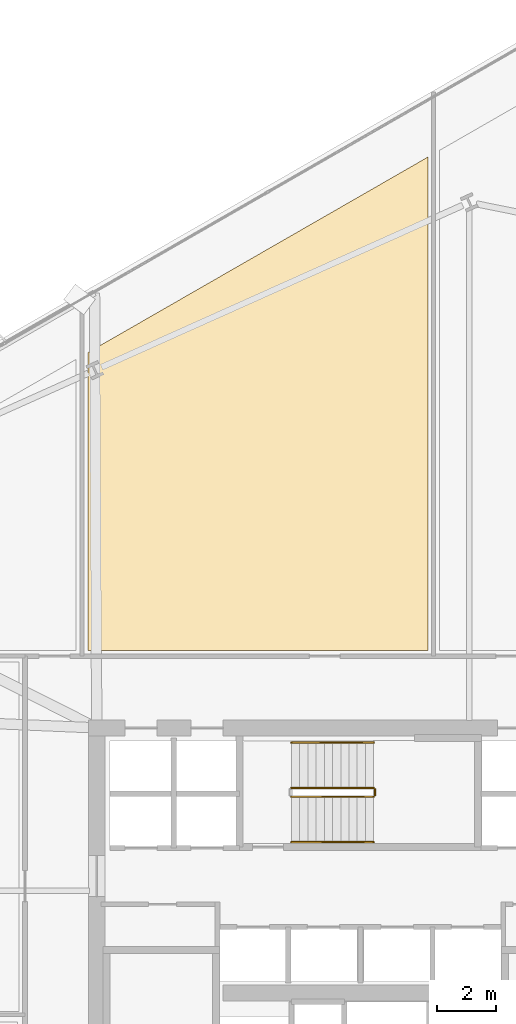
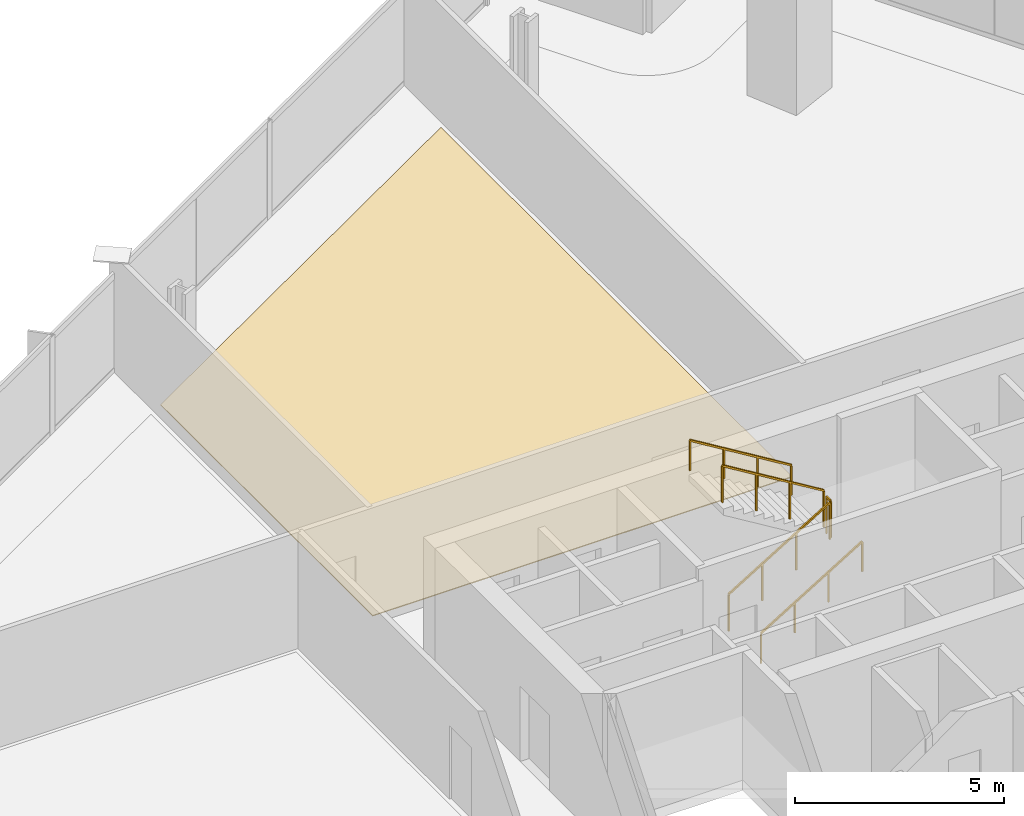
# One storey, part 32 of 33: 5 railings, 1 covering.
"""IFC4 building model written with IfcOpenShell, lengths in metres."""

from ifc_helpers import new_model, si_unit, direction, frame, origin, origin_2d, place, context, subcontext, project, spatial, polyline, rectangle, outline, extrude, material, layer, layer_set, type_object, element, save


model = new_model("IFC4")

# Units and contexts
model_context = context("Model", 3, precision=1e-05, world=origin(), true_north=direction((0.0, 1.0)))
body_context = subcontext(model_context, "Body", "Model", "MODEL_VIEW")
ifc_project = project(units=[si_unit("LENGTHUNIT", "METRE"), si_unit("AREAUNIT", "SQUARE_METRE"), si_unit("VOLUMEUNIT", "CUBIC_METRE"), si_unit("PLANEANGLEUNIT", "RADIAN"), si_unit("MASSUNIT", "GRAM", prefix="KILO")], contexts=[model_context])

# Site, building, storey
site_placement = place(None, origin())
site = spatial("IfcSite", under=ifc_project, at=site_placement, CompositionType="ELEMENT")
building_placement = place(site_placement, origin())
building = spatial("IfcBuilding", under=site, at=building_placement, Name="Haldenkirk Collegiate Tower", CompositionType="ELEMENT")
storey_placement = place(building_placement, frame((0.0, 0.0, 127.949951171875)))
storey = spatial("IfcBuildingStorey", under=building, at=storey_placement, Name="L31", CompositionType="ELEMENT", Elevation=127.949951171875)

# Covering
ifc_material_1 = material(Name="Polished collegiate terrazzo", Category="concrete")
ifc_layer = layer(ifc_material_1, 0.02490234375)
ifc_layer_set = layer_set([ifc_layer], Name="Polished collegiate terrazzo")
covering_type = type_object("IfcCoveringType", Name="COV-FLOOR-TERRAZZO", PredefinedType="FLOORING", material=ifc_layer_set)
covering_placement = place(storey_placement, origin())
element("IfcCovering", 1, at=covering_placement, inside=storey, type_object=covering_type, Name="L31 academic room finish 06", PredefinedType="FLOORING", context=body_context, shape_type="SweptSolid", body=[
    extrude(outline(polyline([(38.300048828125, 53.48486328125), (38.300048828125, 36.64990234375), (26.699951171875, 36.64990234375), (26.699951171875, 46.814697265625), (38.300048828125, 53.48486328125)])), origin(), (0.0, 0.0, 1.0), 0.025146484375),
])

# Railings
ifc_material_2 = material(Name="Painted architectural tubular steel", Category="steel")
railing_type_1 = type_object("IfcRailingType", Name="RLG-STAIR-GUARD-1100", PredefinedType="BALUSTRADE", material=ifc_material_2)
railing_1_placement = place(storey_placement, frame((33.64990234375, 31.64990234375, 0.17041015625)))
element("IfcRailing", 2, at=railing_1_placement, inside=storey, type_object=railing_type_1, Name="L31 ST-3 stair guard 1", PredefinedType="BALUSTRADE", context=body_context, shape_type="SweptSolid", body=[
    extrude(rectangle(XDim=0.048095703125, YDim=0.048095703125, at=origin_2d()), frame((0.0, 0.0, 1.076171875), z_axis=(0.854169791009, 0.0, 0.51999420009), x_axis=(0.0, 1.0, 0.0)), (0.0, 0.0, 1.0), 3.278076171875),
    extrude(rectangle(XDim=0.0419921875, YDim=0.0419921875, at=origin_2d()), origin(), (0.0, 0.0, 1.0), 1.052001953125),
    extrude(rectangle(XDim=0.0419921875, YDim=0.0419921875, at=origin_2d()), frame((0.933349609375, 0.0, 0.568115234375)), (0.0, 0.0, 1.0), 1.052001953125),
    extrude(rectangle(XDim=0.0419921875, YDim=0.0419921875, at=origin_2d()), frame((1.86669921875, 0.0, 1.136474609375)), (0.0, 0.0, 1.0), 1.052001953125),
    extrude(rectangle(XDim=0.0419921875, YDim=0.0419921875, at=origin_2d()), frame((2.800048828125, 0.0, 1.70458984375)), (0.0, 0.0, 1.0), 1.052001953125),
])
railing_2_placement = place(storey_placement, frame((36.5, 31.699951171875, 1.875)))
element("IfcRailing", 3, at=railing_2_placement, inside=storey, type_object=railing_type_1, Name="L31 ST-3 stair guard 2", PredefinedType="BALUSTRADE", context=body_context, shape_type="SweptSolid", body=[
    extrude(rectangle(XDim=0.048095703125, YDim=0.048095703125, at=origin_2d()), frame((0.0, 0.0, 1.076171875), z_axis=(0.0, 1.0, 0.0), x_axis=(-1.0, 0.0, 0.0)), (0.0, 0.0, 1.0), 0.199951171875),
    extrude(rectangle(XDim=0.0419921875, YDim=0.0419921875, at=origin_2d()), origin(), (0.0, 0.0, 1.0), 1.052001953125),
    extrude(rectangle(XDim=0.0419921875, YDim=0.0419921875, at=origin_2d()), frame((0.0, 0.199951171875, 0.0)), (0.0, 0.0, 1.0), 1.052001953125),
])
railing_3_placement = place(storey_placement, frame((36.449951171875, 31.949951171875, 2.04541015625)))
element("IfcRailing", 4, at=railing_3_placement, inside=storey, type_object=railing_type_1, Name="L31 ST-3 stair guard 3", PredefinedType="BALUSTRADE", context=body_context, shape_type="SweptSolid", body=[
    extrude(rectangle(XDim=0.048095703125, YDim=0.048095703125, at=origin_2d()), frame((0.0, 0.0, 1.076171875), z_axis=(-0.854169791009, 0.0, 0.51999420009), x_axis=(0.0, -1.0, 0.0)), (0.0, 0.0, 1.0), 3.278076171875),
    extrude(rectangle(XDim=0.0419921875, YDim=0.0419921875, at=origin_2d()), origin(), (0.0, 0.0, 1.0), 1.052001953125),
    extrude(rectangle(XDim=0.0419921875, YDim=0.0419921875, at=origin_2d()), frame((-0.933349609375, 0.0, 0.568115234375)), (0.0, 0.0, 1.0), 1.052001953125),
    extrude(rectangle(XDim=0.0419921875, YDim=0.0419921875, at=origin_2d()), frame((-1.86669921875, 0.0, 1.136474609375)), (0.0, 0.0, 1.0), 1.052001953125),
    extrude(rectangle(XDim=0.0419921875, YDim=0.0419921875, at=origin_2d()), frame((-2.800048828125, 0.0, 1.70458984375)), (0.0, 0.0, 1.0), 1.052001953125),
])
railing_type_2 = type_object("IfcRailingType", Name="RLG-STAIR-HANDRAIL-900", PredefinedType="HANDRAIL", material=ifc_material_2)
railing_4_placement = place(storey_placement, frame((33.64990234375, 30.10009765625, 0.17041015625)))
element("IfcRailing", 5, at=railing_4_placement, inside=storey, type_object=railing_type_2, Name="L31 ST-3 stair handrail 1", PredefinedType="HANDRAIL", context=body_context, shape_type="SweptSolid", body=[
    extrude(rectangle(XDim=0.048095703125, YDim=0.048095703125, at=origin_2d()), frame((0.0, 0.0, 0.8759765625), z_axis=(0.854169791009, 0.0, 0.51999420009), x_axis=(0.0, 1.0, 0.0)), (0.0, 0.0, 1.0), 3.278076171875),
    extrude(rectangle(XDim=0.0419921875, YDim=0.0419921875, at=origin_2d()), origin(), (0.0, 0.0, 1.0), 0.851806640625),
    extrude(rectangle(XDim=0.0419921875, YDim=0.0419921875, at=origin_2d()), frame((0.933349609375, 0.0, 0.568115234375)), (0.0, 0.0, 1.0), 0.851806640625),
    extrude(rectangle(XDim=0.0419921875, YDim=0.0419921875, at=origin_2d()), frame((1.86669921875, 0.0, 1.136474609375)), (0.0, 0.0, 1.0), 0.851806640625),
    extrude(rectangle(XDim=0.0419921875, YDim=0.0419921875, at=origin_2d()), frame((2.800048828125, 0.0, 1.70458984375)), (0.0, 0.0, 1.0), 0.851806640625),
])
railing_5_placement = place(storey_placement, frame((36.449951171875, 33.5, 2.04541015625)))
element("IfcRailing", 6, at=railing_5_placement, inside=storey, type_object=railing_type_2, Name="L31 ST-3 stair handrail 2", PredefinedType="HANDRAIL", context=body_context, shape_type="SweptSolid", body=[
    extrude(rectangle(XDim=0.048095703125, YDim=0.048095703125, at=origin_2d()), frame((0.0, 0.0, 0.8759765625), z_axis=(-0.854169791009, 0.0, 0.51999420009), x_axis=(0.0, -1.0, 0.0)), (0.0, 0.0, 1.0), 3.278076171875),
    extrude(rectangle(XDim=0.0419921875, YDim=0.0419921875, at=origin_2d()), origin(), (0.0, 0.0, 1.0), 0.851806640625),
    extrude(rectangle(XDim=0.0419921875, YDim=0.0419921875, at=origin_2d()), frame((-0.933349609375, 0.0, 0.568115234375)), (0.0, 0.0, 1.0), 0.851806640625),
    extrude(rectangle(XDim=0.0419921875, YDim=0.0419921875, at=origin_2d()), frame((-1.86669921875, 0.0, 1.136474609375)), (0.0, 0.0, 1.0), 0.851806640625),
    extrude(rectangle(XDim=0.0419921875, YDim=0.0419921875, at=origin_2d()), frame((-2.800048828125, 0.0, 1.70458984375)), (0.0, 0.0, 1.0), 0.851806640625),
])

save(model, "model.ifc")
